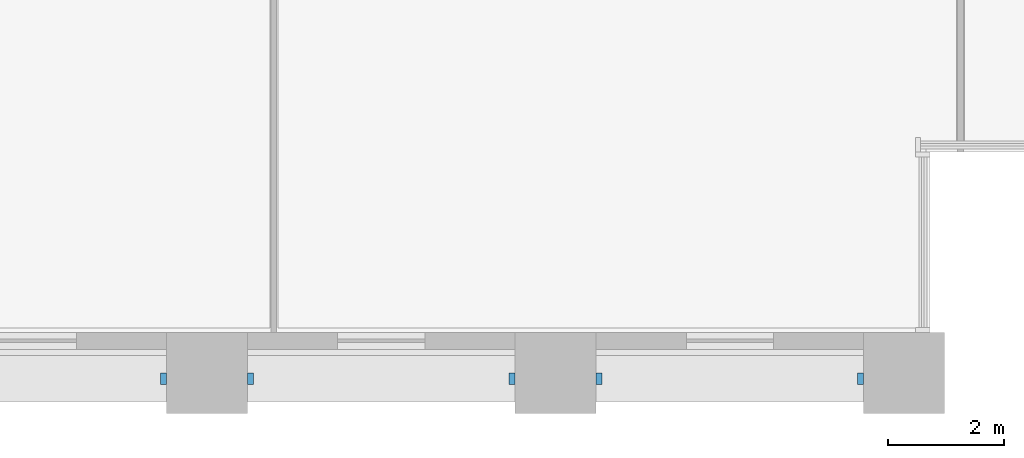
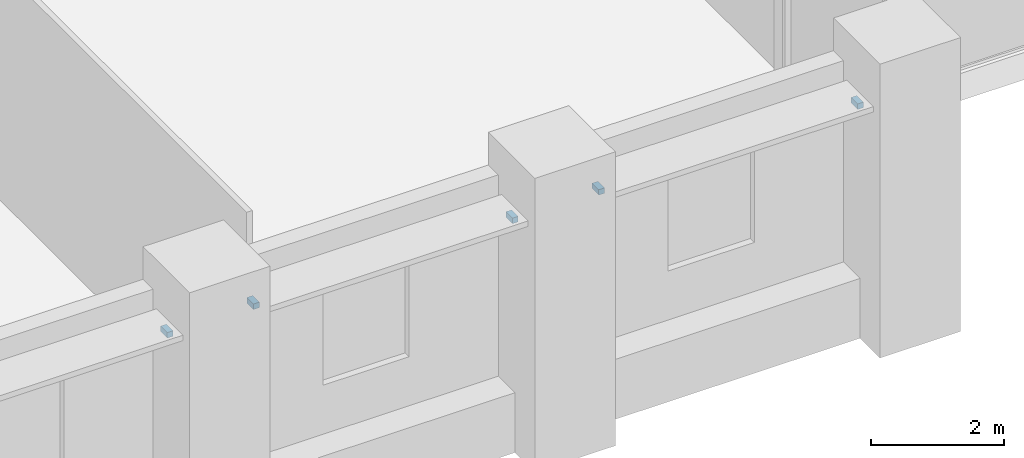
# One storey, part 15 of 17: 5 discrete accessories.
"""IFC4 building model written with IfcOpenShell, lengths in metres."""

from ifc_helpers import new_model, si_unit, direction, frame, origin, origin_2d, place, context, subcontext, project, spatial, rectangle, extrude, element, save


model = new_model("IFC4")

# Units and contexts
model_context = context("Model", 3, precision=1e-05, world=origin(), true_north=direction((0.0, 1.0)))
body_context = subcontext(model_context, "Body", "Model", "MODEL_VIEW")
ifc_project = project(units=[si_unit("LENGTHUNIT", "METRE"), si_unit("AREAUNIT", "SQUARE_METRE"), si_unit("VOLUMEUNIT", "CUBIC_METRE"), si_unit("PLANEANGLEUNIT", "RADIAN"), si_unit("MASSUNIT", "GRAM", prefix="KILO")], contexts=[model_context])

# Site, building, storey
site_placement = place(None, origin())
site = spatial("IfcSite", under=ifc_project, at=site_placement, CompositionType="ELEMENT")
building_placement = place(site_placement, origin())
building = spatial("IfcBuilding", under=site, at=building_placement, Name="Calvaro Tower", CompositionType="ELEMENT")
storey_placement = place(building_placement, frame((0.0, 0.0, 6.5)))
storey = spatial("IfcBuildingStorey", under=building, at=storey_placement, Name="L01", CompositionType="ELEMENT", Elevation=6.5)

# Discrete accessories
for number, where, z_axis, x_axis, name in (
    (1, (59.25, 0.60009765625, 3.199951171875), (0.0, 0.0, 1.0), (1.0, 0.0, 0.0), "Brise-soleil bracket"),
    (2, (60.75, 0.60009765625, 3.199951171875), (0.0, 0.0, 1.0), (1.0, 0.0, 0.0), "Brise-soleil bracket"),
    (3, (65.25, 0.60009765625, 3.199951171875), (0.0, 0.0, 1.0), (1.0, 0.0, 0.0), "Brise-soleil bracket"),
    (4, (66.75, 0.60009765625, 3.199951171875), (0.0, 0.0, 1.0), (1.0, 0.0, 0.0), "Brise-soleil bracket"),
    (5, (71.25, 0.60009765625, 3.199951171875), (0.0, 0.0, 1.0), (1.0, 0.0, 0.0), "Brise-soleil bracket"),
):
    element("IfcDiscreteAccessory", number, at=place(storey_placement, frame(where, z_axis=z_axis, x_axis=x_axis)), inside=storey, Name=name, PredefinedType="BRACKET", context=body_context, shape_type="SweptSolid", body=[
        extrude(rectangle(XDim=0.10009765625, YDim=0.199951171875, at=origin_2d()), origin(), (0.0, 0.0, 1.0), 0.10009765625),
    ])

save(model, "model.ifc")
